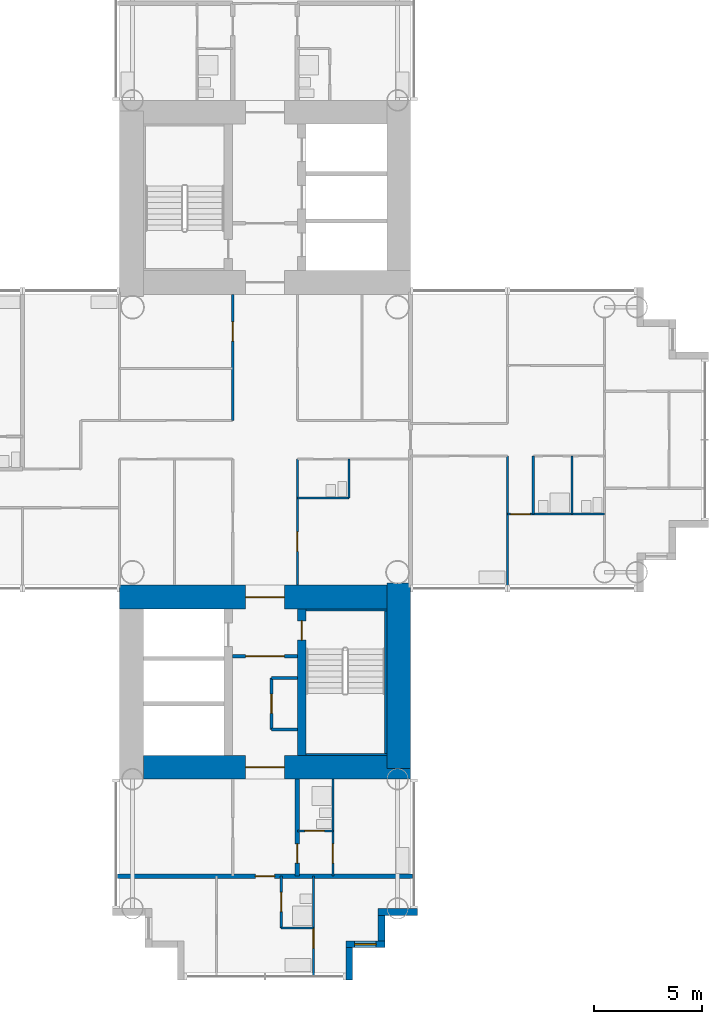
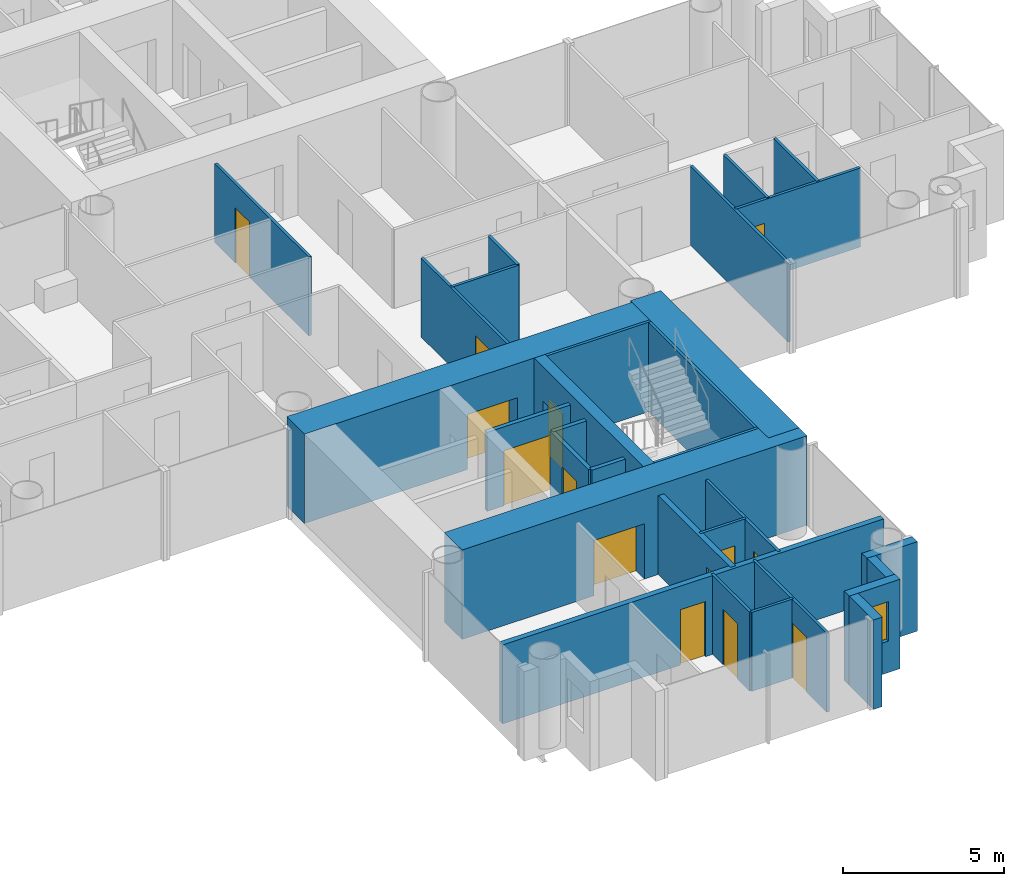
# One storey, part 14 of 22: 30 walls, 14 doors, 1 window, 15 openings.
"""IFC4 building model written with IfcOpenShell, lengths in metres."""

from ifc_helpers import new_model, si_unit, direction, frame, frame_2d, origin, place, context, subcontext, project, spatial, rectangle, extrude, material, layer, layer_set, type_object, element, fill, save


model = new_model("IFC4")

# Units and contexts
model_context = context("Model", 3, precision=1e-05, world=origin(), true_north=direction((0.0, 1.0)))
body_context = subcontext(model_context, "Body", "Model", "MODEL_VIEW")
ifc_project = project(units=[si_unit("LENGTHUNIT", "METRE"), si_unit("AREAUNIT", "SQUARE_METRE"), si_unit("VOLUMEUNIT", "CUBIC_METRE"), si_unit("PLANEANGLEUNIT", "RADIAN"), si_unit("MASSUNIT", "GRAM", prefix="KILO")], contexts=[model_context])

# Site, building, storey
site_placement = place(None, origin())
site = spatial("IfcSite", under=ifc_project, at=site_placement, CompositionType="ELEMENT")
building_placement = place(site_placement, origin())
building = spatial("IfcBuilding", under=site, at=building_placement, Name="Ipe Terrace Towers", CompositionType="ELEMENT")
storey_placement = place(building_placement, frame((0.0, 0.0, 68.699951171875)))
storey = spatial("IfcBuildingStorey", under=building, at=storey_placement, Name="L18", CompositionType="ELEMENT", Elevation=68.699951171875)

# Wall
ifc_material_1 = material(Name="Concrete C40/50 with buff precast cladding", Category="concrete")
ifc_layer_1 = layer(ifc_material_1, 0.320068359375)
ifc_layer_set_1 = layer_set([ifc_layer_1], Name="BUFF CLADDING WALL 320")
wall_type_1 = type_object("IfcWallType", Name="BUFF CLADDING WALL 320", PredefinedType="STANDARD", material=ifc_layer_set_1)
wall_1_placement = place(storey_placement, frame((39.909912109375, -25.070068359375, -0.300048828125), z_axis=(0.0, 0.0, 1.0), x_axis=(0.0, 1.0, 0.0)))
element("IfcWall", 1, at=wall_1_placement, inside=storey, type_object=wall_type_1, Name="T2-W-L18-00a wall", PredefinedType="STANDARD", context=body_context, shape_type="SweptSolid", body=[
    extrude(rectangle(XDim=1.5, YDim=0.320068359375, at=frame_2d((0.75, 0.0))), origin(), (0.0, 0.0, 1.0), 3.400146484375),
])

# Wall, opening, window
wall_2_placement = place(storey_placement, frame((39.75, -23.409912109375, -0.300048828125), z_axis=(0.0, 0.0, 1.0), x_axis=(1.0, 0.0, 0.0)))
wall_2 = element("IfcWall", 2, at=wall_2_placement, inside=storey, type_object=wall_type_1, Name="T2-W-L18-01a wall", PredefinedType="STANDARD", context=body_context, shape_type="SweptSolid", body=[
    extrude(rectangle(XDim=1.820068359375, YDim=0.320068359375, at=frame_2d((0.91015625, 0.0))), origin(), (0.0, 0.0, 1.0), 3.400146484375),
])
opening_1_placement = place(wall_2_placement, frame((0.409912109375, 0.0, 1.199951171875)))
opening_1 = element("IfcOpeningElement", 3, at=opening_1_placement, cuts=wall_2, Name="Opening T2-W-05-L18-03", PredefinedType="OPENING", context=body_context, shape_type="SweptSolid", body=[
    extrude(rectangle(XDim=1.0, YDim=1.5, at=frame_2d((0.5, 0.75))), frame((0.0, 0.169921875, 0.0), z_axis=(0.0, -1.0, 0.0), x_axis=(1.0, 0.0, 0.0)), (0.0, 0.0, 1.0), 0.340087890625),
])
ifc_material_2 = material(Name="Glass, clear laminated", Category="glass")
window_type = type_object("IfcWindowType", Name="DWELLING WINDOW 1000 x 1500", PartitioningType="SINGLE_PANEL", PredefinedType="WINDOW", material=ifc_material_2)
window_placement = place(opening_1_placement, origin())
window = element("IfcWindow", 4, at=window_placement, inside=storey, type_object=window_type, Name="W-05 window", OverallHeight=1.5, OverallWidth=1.0, PartitioningType="SINGLE_PANEL", PredefinedType="WINDOW", context=body_context, shape_type="SweptSolid", body=[
    extrude(rectangle(XDim=1.0, YDim=1.5, at=frame_2d((0.5, 0.75))), frame((0.0, 0.030029296875, 0.0), z_axis=(0.0, -1.0, 0.0), x_axis=(1.0, 0.0, 0.0)), (0.0, 0.0, 1.0), 0.06005859375),
])
fill(opening_1, window)

# Walls
wall_3_placement = place(storey_placement, frame((41.409912109375, -23.25, -0.300048828125), z_axis=(0.0, 0.0, 1.0), x_axis=(0.0, 1.0, 0.0)))
element("IfcWall", 5, at=wall_3_placement, inside=storey, type_object=wall_type_1, Name="T2-W-L18-02a wall", PredefinedType="STANDARD", context=body_context, shape_type="SweptSolid", body=[
    extrude(rectangle(XDim=1.179931640625, YDim=0.320068359375, at=frame_2d((0.58984375, 0.0))), origin(), (0.0, 0.0, 1.0), 3.400146484375),
])
wall_4_placement = place(storey_placement, frame((41.25, -21.909912109375, -0.300048828125), z_axis=(0.0, 0.0, 1.0), x_axis=(1.0, 0.0, 0.0)))
element("IfcWall", 6, at=wall_4_placement, inside=storey, type_object=wall_type_1, Name="T2-W-L18-03a wall", PredefinedType="STANDARD", context=body_context, shape_type="SweptSolid", body=[
    extrude(rectangle(XDim=1.820068359375, YDim=0.320068359375, at=frame_2d((0.91015625, 0.0))), origin(), (0.0, 0.0, 1.0), 3.400146484375),
])
ifc_material_3 = material(Name="Gypsum board partition", Category="plasterboard")
ifc_layer_2 = layer(ifc_material_3, 0.10009765625)
ifc_layer_set_2 = layer_set([ifc_layer_2], Name="Gypsum board partition 100 mm")
wall_type_2 = type_object("IfcWallType", Name="Gypsum board partition 100 mm", PredefinedType="PARTITIONING", material=ifc_layer_set_2)
wall_5_placement = place(storey_placement, frame((38.25, -22.64990234375, 0.0), z_axis=(0.0, 0.0, 1.0), x_axis=(-1.0, 0.0, 0.0)))
element("IfcWall", 7, at=wall_5_placement, inside=storey, type_object=wall_type_2, Name="Gypsum board partition T2 L18 W01", PredefinedType="PARTITIONING", context=body_context, shape_type="SweptSolid", body=[
    extrude(rectangle(XDim=1.5, YDim=0.10009765625, at=frame_2d((0.75, 0.0))), origin(), (0.0, 0.0, 1.0), 3.0),
])

# Wall, opening, door
wall_6_placement = place(storey_placement, frame((39.14990234375, -18.14990234375, 0.0), z_axis=(0.0, 0.0, 1.0), x_axis=(-1.0, 0.0, 0.0)))
wall_6 = element("IfcWall", 8, at=wall_6_placement, inside=storey, type_object=wall_type_2, Name="Gypsum board partition T2 L18 W03", PredefinedType="PARTITIONING", context=body_context, shape_type="SweptSolid", body=[
    extrude(rectangle(XDim=1.64990234375, YDim=0.10009765625, at=frame_2d((0.824951171875, 0.0))), origin(), (0.0, 0.0, 1.0), 3.0),
])
opening_2_placement = place(wall_6_placement, frame((0.39990234375, 0.0, 0.0)))
opening_2 = element("IfcOpeningElement", 9, at=opening_2_placement, cuts=wall_6, Name="Opening T2-Z1F-34", PredefinedType="OPENING", context=body_context, shape_type="SweptSolid", body=[
    extrude(rectangle(XDim=0.89990234375, YDim=2.10009765625, at=frame_2d((0.449951171875, 1.050048828125))), frame((0.0, 0.06005859375, 0.0), z_axis=(0.0, -1.0, 0.0), x_axis=(1.0, 0.0, 0.0)), (0.0, 0.0, 1.0), 0.1201171875),
])
ifc_material_4 = material(Name="Timber door leaf", Category="wood")
door_type_1 = type_object("IfcDoorType", Name="Bathroom door 900 x 2100", OperationType="NOTDEFINED", PredefinedType="DOOR", material=ifc_material_4)
door_1_placement = place(opening_2_placement, origin())
door_1 = element("IfcDoor", 10, at=door_1_placement, inside=storey, type_object=door_type_1, Name="Bathroom door T2-Z1F-34", OperationType="SINGLE_SWING_RIGHT", OverallHeight=2.10009765625, OverallWidth=0.89990234375, PredefinedType="DOOR", context=body_context, shape_type="SweptSolid", body=[
    extrude(rectangle(XDim=0.89990234375, YDim=2.10009765625, at=frame_2d((0.449951171875, 1.050048828125))), frame((0.0, 0.02490234375, 0.0), z_axis=(0.0, -1.0, 0.0), x_axis=(1.0, 0.0, 0.0)), (0.0, 0.0, 1.0), 0.050048828125),
])
fill(opening_2, door_1)

wall_7_placement = place(storey_placement, frame((51.75, -3.449951171875, 0.0), z_axis=(0.0, 0.0, 1.0), x_axis=(-1.0, 0.0, 0.0)))
wall_7 = element("IfcWall", 11, at=wall_7_placement, inside=storey, type_object=wall_type_2, Name="Gypsum board partition T2 L18 W04", PredefinedType="PARTITIONING", context=body_context, shape_type="SweptSolid", body=[
    extrude(rectangle(XDim=4.5, YDim=0.10009765625, at=frame_2d((2.25, 0.0))), origin(), (0.0, 0.0, 1.0), 3.0),
])
opening_3_placement = place(wall_7_placement, frame((3.449951171875, 0.0, 0.0)))
opening_3 = element("IfcOpeningElement", 12, at=opening_3_placement, cuts=wall_7, Name="Opening T2-Z1F-21", PredefinedType="OPENING", context=body_context, shape_type="SweptSolid", body=[
    extrude(rectangle(XDim=0.89990234375, YDim=2.10009765625, at=frame_2d((0.449951171875, 1.050048828125))), frame((0.0, 0.06005859375, 0.0), z_axis=(0.0, -1.0, 0.0), x_axis=(1.0, 0.0, 0.0)), (0.0, 0.0, 1.0), 0.1201171875),
])
ifc_material_5 = material(Name="Timber door leaf", Category="wood")
door_type_2 = type_object("IfcDoorType", Name="Bedroom door 900 x 2100", OperationType="NOTDEFINED", PredefinedType="DOOR", material=ifc_material_5)
door_2_placement = place(opening_3_placement, origin())
door_2 = element("IfcDoor", 13, at=door_2_placement, inside=storey, type_object=door_type_2, Name="Bedroom door T2-Z1F-21", OperationType="SINGLE_SWING_LEFT", OverallHeight=2.10009765625, OverallWidth=0.89990234375, PredefinedType="DOOR", context=body_context, shape_type="SweptSolid", body=[
    extrude(rectangle(XDim=0.89990234375, YDim=2.10009765625, at=frame_2d((0.449951171875, 1.050048828125))), frame((0.0, 0.02490234375, 0.0), z_axis=(0.0, -1.0, 0.0), x_axis=(1.0, 0.0, 0.0)), (0.0, 0.0, 1.0), 0.050048828125),
])
fill(opening_3, door_2)

# Walls
wall_8_placement = place(storey_placement, frame((39.89990234375, -2.699951171875, 0.0), z_axis=(0.0, 0.0, 1.0), x_axis=(-1.0, 0.0, 0.0)))
element("IfcWall", 14, at=wall_8_placement, inside=storey, type_object=wall_type_2, Name="Gypsum board partition T2 L18 W06", PredefinedType="PARTITIONING", context=body_context, shape_type="SweptSolid", body=[
    extrude(rectangle(XDim=2.39990234375, YDim=0.10009765625, at=frame_2d((1.199951171875, 0.0))), origin(), (0.0, 0.0, 1.0), 3.0),
])
for number, where, z_axis, x_axis, name in (
    (15, (50.25, -3.449951171875, 0.0), (0.0, 0.0, 1.0), (0.0, 1.0, 0.0), "Gypsum board partition T2 L18 W28"),
    (16, (48.449951171875, -3.449951171875, 0.0), (0.0, 0.0, 1.0), (0.0, 1.0, 0.0), "Gypsum board partition T2 L18 W29"),
):
    element("IfcWall", number, at=place(storey_placement, frame(where, z_axis=z_axis, x_axis=x_axis)), inside=storey, type_object=wall_type_2, Name=name, PredefinedType="PARTITIONING", context=body_context, shape_type="SweptSolid", body=[
        extrude(rectangle(XDim=2.699951171875, YDim=0.10009765625, at=frame_2d((1.35009765625, 0.0))), origin(), (0.0, 0.0, 1.0), 3.0),
    ])
wall_9_placement = place(storey_placement, frame((47.25, -6.85009765625, 0.0), z_axis=(0.0, 0.0, 1.0), x_axis=(0.0, 1.0, 0.0)))
element("IfcWall", 17, at=wall_9_placement, inside=storey, type_object=wall_type_2, Name="Gypsum board partition T2 L18 W30", PredefinedType="PARTITIONING", context=body_context, shape_type="SweptSolid", body=[
    extrude(rectangle(XDim=6.10009765625, YDim=0.10009765625, at=frame_2d((3.050048828125, 0.0))), origin(), (0.0, 0.0, 1.0), 3.0),
])
wall_10_placement = place(storey_placement, frame((39.89990234375, -2.699951171875, 0.0), z_axis=(0.0, 0.0, 1.0), x_axis=(0.0, 1.0, 0.0)))
element("IfcWall", 18, at=wall_10_placement, inside=storey, type_object=wall_type_2, Name="Gypsum board partition T2 L18 W34", PredefinedType="PARTITIONING", context=body_context, shape_type="SweptSolid", body=[
    extrude(rectangle(XDim=1.800048828125, YDim=0.10009765625, at=frame_2d((0.89990234375, 0.0))), origin(), (0.0, 0.0, 1.0), 3.0),
])

# Wall, opening, door
wall_11_placement = place(storey_placement, frame((39.14990234375, -20.25, 0.0), z_axis=(0.0, 0.0, 1.0), x_axis=(0.0, 1.0, 0.0)))
wall_11 = element("IfcWall", 19, at=wall_11_placement, inside=storey, type_object=wall_type_2, Name="Gypsum board partition T2 L18 W35", PredefinedType="PARTITIONING", context=body_context, shape_type="SweptSolid", body=[
    extrude(rectangle(XDim=4.5, YDim=0.10009765625, at=frame_2d((2.25, 0.0))), origin(), (0.0, 0.0, 1.0), 3.0),
])
opening_4_placement = place(wall_11_placement, frame((0.60009765625, 0.0, 0.0)))
opening_4 = element("IfcOpeningElement", 20, at=opening_4_placement, cuts=wall_11, Name="Opening T2-Z1F-33", PredefinedType="OPENING", context=body_context, shape_type="SweptSolid", body=[
    extrude(rectangle(XDim=0.89990234375, YDim=2.10009765625, at=frame_2d((0.449951171875, 1.050048828125))), frame((0.0, 0.06005859375, 0.0), z_axis=(0.0, -1.0, 0.0), x_axis=(1.0, 0.0, 0.0)), (0.0, 0.0, 1.0), 0.1201171875),
])
door_3_placement = place(opening_4_placement, origin())
door_3 = element("IfcDoor", 21, at=door_3_placement, inside=storey, type_object=door_type_2, Name="Bedroom door T2-Z1F-33", OperationType="SINGLE_SWING_LEFT", OverallHeight=2.10009765625, OverallWidth=0.89990234375, PredefinedType="DOOR", context=body_context, shape_type="SweptSolid", body=[
    extrude(rectangle(XDim=0.89990234375, YDim=2.10009765625, at=frame_2d((0.449951171875, 1.050048828125))), frame((0.0, 0.02490234375, 0.0), z_axis=(0.0, -1.0, 0.0), x_axis=(1.0, 0.0, 0.0)), (0.0, 0.0, 1.0), 0.050048828125),
])
fill(opening_4, door_3)

wall_12_placement = place(storey_placement, frame((38.25, -24.85009765625, 0.0), z_axis=(0.0, 0.0, 1.0), x_axis=(0.0, 1.0, 0.0)))
wall_12 = element("IfcWall", 22, at=wall_12_placement, inside=storey, type_object=wall_type_2, Name="Gypsum board partition T2 L18 W37", PredefinedType="PARTITIONING", context=body_context, shape_type="SweptSolid", body=[
    extrude(rectangle(XDim=4.60009765625, YDim=0.10009765625, at=frame_2d((2.300048828125, 0.0))), origin(), (0.0, 0.0, 1.0), 3.0),
])
opening_5_placement = place(wall_12_placement, frame((1.25, 0.0, 0.0)))
opening_5 = element("IfcOpeningElement", 23, at=opening_5_placement, cuts=wall_12, Name="Opening T2-Z1F-38", PredefinedType="OPENING", context=body_context, shape_type="SweptSolid", body=[
    extrude(rectangle(XDim=0.89990234375, YDim=2.10009765625, at=frame_2d((0.449951171875, 1.050048828125))), frame((0.0, 0.06005859375, 0.0), z_axis=(0.0, -1.0, 0.0), x_axis=(1.0, 0.0, 0.0)), (0.0, 0.0, 1.0), 0.1201171875),
])
door_4_placement = place(opening_5_placement, origin())
door_4 = element("IfcDoor", 24, at=door_4_placement, inside=storey, type_object=door_type_2, Name="Bedroom door T2-Z1F-38", OperationType="SINGLE_SWING_LEFT", OverallHeight=2.10009765625, OverallWidth=0.89990234375, PredefinedType="DOOR", context=body_context, shape_type="SweptSolid", body=[
    extrude(rectangle(XDim=0.89990234375, YDim=2.10009765625, at=frame_2d((0.449951171875, 1.050048828125))), frame((0.0, 0.02490234375, 0.0), z_axis=(0.0, -1.0, 0.0), x_axis=(1.0, 0.0, 0.0)), (0.0, 0.0, 1.0), 0.050048828125),
])
fill(opening_5, door_4)

wall_13_placement = place(storey_placement, frame((37.5, -6.75, 0.0), z_axis=(0.0, 0.0, 1.0), x_axis=(0.0, 1.0, 0.0)))
wall_13 = element("IfcWall", 25, at=wall_13_placement, inside=storey, type_object=wall_type_2, Name="Gypsum board partition T2 L18 W38", PredefinedType="PARTITIONING", context=body_context, shape_type="SweptSolid", body=[
    extrude(rectangle(XDim=5.85009765625, YDim=0.10009765625, at=frame_2d((2.925048828125, 0.0))), origin(), (0.0, 0.0, 1.0), 3.0),
])
opening_6_placement = place(wall_13_placement, frame((1.574951171875, 0.0, 0.0)))
opening_6 = element("IfcOpeningElement", 26, at=opening_6_placement, cuts=wall_13, Name="Opening T2-Z1F-06", PredefinedType="OPENING", context=body_context, shape_type="SweptSolid", body=[
    extrude(rectangle(XDim=0.89990234375, YDim=2.10009765625, at=frame_2d((0.449951171875, 1.050048828125))), frame((0.0, 0.06005859375, 0.0), z_axis=(0.0, -1.0, 0.0), x_axis=(1.0, 0.0, 0.0)), (0.0, 0.0, 1.0), 0.1201171875),
])
ifc_material_6 = material(Name="Timber door leaf", Category="wood")
door_type_3 = type_object("IfcDoorType", Name="Lounge door 900 x 2100", OperationType="NOTDEFINED", PredefinedType="DOOR", material=ifc_material_6)
door_5_placement = place(opening_6_placement, origin())
door_5 = element("IfcDoor", 27, at=door_5_placement, inside=storey, type_object=door_type_3, Name="Lounge door T2-Z1F-06", OperationType="SINGLE_SWING_LEFT", OverallHeight=2.10009765625, OverallWidth=0.89990234375, PredefinedType="DOOR", context=body_context, shape_type="SweptSolid", body=[
    extrude(rectangle(XDim=0.89990234375, YDim=2.10009765625, at=frame_2d((0.449951171875, 1.050048828125))), frame((0.0, 0.02490234375, 0.0), z_axis=(0.0, -1.0, 0.0), x_axis=(1.0, 0.0, 0.0)), (0.0, 0.0, 1.0), 0.050048828125),
])
fill(opening_6, door_5)

wall_14_placement = place(storey_placement, frame((36.75, -22.64990234375, 0.0), z_axis=(0.0, 0.0, 1.0), x_axis=(0.0, 1.0, 0.0)))
wall_14 = element("IfcWall", 28, at=wall_14_placement, inside=storey, type_object=wall_type_2, Name="Gypsum board partition T2 L18 W42", PredefinedType="PARTITIONING", context=body_context, shape_type="SweptSolid", body=[
    extrude(rectangle(XDim=2.39990234375, YDim=0.10009765625, at=frame_2d((1.199951171875, 0.0))), origin(), (0.0, 0.0, 1.0), 3.0),
])
opening_7_placement = place(wall_14_placement, frame((0.75, 0.0, 0.0)))
opening_7 = element("IfcOpeningElement", 29, at=opening_7_placement, cuts=wall_14, Name="Opening T2-Z1F-36", PredefinedType="OPENING", context=body_context, shape_type="SweptSolid", body=[
    extrude(rectangle(XDim=0.89990234375, YDim=2.10009765625, at=frame_2d((0.449951171875, 1.050048828125))), frame((0.0, 0.06005859375, 0.0), z_axis=(0.0, -1.0, 0.0), x_axis=(1.0, 0.0, 0.0)), (0.0, 0.0, 1.0), 0.1201171875),
])
door_6_placement = place(opening_7_placement, origin())
door_6 = element("IfcDoor", 30, at=door_6_placement, inside=storey, type_object=door_type_1, Name="Bathroom door T2-Z1F-36", OperationType="SINGLE_SWING_RIGHT", OverallHeight=2.10009765625, OverallWidth=0.89990234375, PredefinedType="DOOR", context=body_context, shape_type="SweptSolid", body=[
    extrude(rectangle(XDim=0.89990234375, YDim=2.10009765625, at=frame_2d((0.449951171875, 1.050048828125))), frame((0.0, 0.02490234375, 0.0), z_axis=(0.0, -1.0, 0.0), x_axis=(1.0, 0.0, 0.0)), (0.0, 0.0, 1.0), 0.050048828125),
])
fill(opening_7, door_6)

wall_15_placement = place(storey_placement, frame((34.5, 0.89990234375, 0.0), z_axis=(0.0, 0.0, 1.0), x_axis=(0.0, 1.0, 0.0)))
wall_15 = element("IfcWall", 31, at=wall_15_placement, inside=storey, type_object=wall_type_2, Name="Gypsum board partition T2 L18 W45", PredefinedType="PARTITIONING", context=body_context, shape_type="SweptSolid", body=[
    extrude(rectangle(XDim=5.85009765625, YDim=0.10009765625, at=frame_2d((2.925048828125, 0.0))), origin(), (0.0, 0.0, 1.0), 3.0),
])
opening_8_placement = place(wall_15_placement, frame((3.675048828125, 0.0, 0.0)))
opening_8 = element("IfcOpeningElement", 32, at=opening_8_placement, cuts=wall_15, Name="Opening T2-Z1F-03", PredefinedType="OPENING", context=body_context, shape_type="SweptSolid", body=[
    extrude(rectangle(XDim=0.89990234375, YDim=2.10009765625, at=frame_2d((0.449951171875, 1.050048828125))), frame((0.0, 0.06005859375, 0.0), z_axis=(0.0, -1.0, 0.0), x_axis=(1.0, 0.0, 0.0)), (0.0, 0.0, 1.0), 0.1201171875),
])
door_7_placement = place(opening_8_placement, origin())
door_7 = element("IfcDoor", 33, at=door_7_placement, inside=storey, type_object=door_type_3, Name="Lounge door T2-Z1F-03", OperationType="SINGLE_SWING_LEFT", OverallHeight=2.10009765625, OverallWidth=0.89990234375, PredefinedType="DOOR", context=body_context, shape_type="SweptSolid", body=[
    extrude(rectangle(XDim=0.89990234375, YDim=2.10009765625, at=frame_2d((0.449951171875, 1.050048828125))), frame((0.0, 0.02490234375, 0.0), z_axis=(0.0, -1.0, 0.0), x_axis=(1.0, 0.0, 0.0)), (0.0, 0.0, 1.0), 0.050048828125),
])
fill(opening_8, door_7)

ifc_material_7 = material(Name="Gypsum board partition", Category="plasterboard")
ifc_layer_3 = layer(ifc_material_7, 0.14990234375)
ifc_layer_set_3 = layer_set([ifc_layer_3], Name="Gypsum board partition 150 mm")
wall_type_3 = type_object("IfcWallType", Name="Gypsum board partition 150 mm", PredefinedType="PARTITIONING", material=ifc_layer_set_3)
wall_16_placement = place(storey_placement, frame((34.5, -10.050048828125, 0.0), z_axis=(0.0, 0.0, 1.0), x_axis=(1.0, 0.0, 0.0)))
wall_16 = element("IfcWall", 34, at=wall_16_placement, inside=storey, type_object=wall_type_3, Name="Gypsum board partition T2 L18 t2c2-lobby-wall", PredefinedType="PARTITIONING", context=body_context, shape_type="SweptSolid", body=[
    extrude(rectangle(XDim=3.0, YDim=0.14990234375, at=frame_2d((1.5, 0.0))), origin(), (0.0, 0.0, 1.0), 3.0),
])
opening_9_placement = place(wall_16_placement, frame((0.60009765625, 0.0, 0.0)))
opening_9 = element("IfcOpeningElement", 35, at=opening_9_placement, cuts=wall_16, Name="Opening T2C2-VD", PredefinedType="OPENING", context=body_context, shape_type="SweptSolid", body=[
    extrude(rectangle(XDim=1.800048828125, YDim=2.10009765625, at=frame_2d((0.89990234375, 1.050048828125))), frame((0.0, 0.0849609375, 0.0), z_axis=(0.0, -1.0, 0.0), x_axis=(1.0, 0.0, 0.0)), (0.0, 0.0, 1.0), 0.169921875),
])
ifc_material_8 = material(Name="Fire-rated timber door leaf", Category="wood")
door_type_4 = type_object("IfcDoorType", Name="Lobby door 1800 x 2100 FD60", OperationType="NOTDEFINED", PredefinedType="DOOR", material=ifc_material_8)
door_8_placement = place(opening_9_placement, origin())
door_8 = element("IfcDoor", 36, at=door_8_placement, inside=storey, type_object=door_type_4, Name="Lobby door T2C2-VD", OperationType="SINGLE_SWING_LEFT", OverallHeight=2.10009765625, OverallWidth=1.800048828125, PredefinedType="DOOR", context=body_context, shape_type="SweptSolid", body=[
    extrude(rectangle(XDim=1.800048828125, YDim=2.10009765625, at=frame_2d((0.89990234375, 1.050048828125))), frame((0.0, 0.02490234375, 0.0), z_axis=(0.0, -1.0, 0.0), x_axis=(1.0, 0.0, 0.0)), (0.0, 0.0, 1.0), 0.050048828125),
])
fill(opening_9, door_8)

wall_17_placement = place(storey_placement, frame((36.300048828125, -11.050048828125, 0.0), z_axis=(0.0, 0.0, 1.0), x_axis=(0.0, -1.0, 0.0)))
wall_17 = element("IfcWall", 37, at=wall_17_placement, inside=storey, type_object=wall_type_3, Name="Gypsum board partition T2 L18 t2c2-cup-n-f", PredefinedType="PARTITIONING", context=body_context, shape_type="SweptSolid", body=[
    extrude(rectangle(XDim=2.39990234375, YDim=0.14990234375, at=frame_2d((1.199951171875, 0.0))), origin(), (0.0, 0.0, 1.0), 3.0),
])
opening_10_placement = place(wall_17_placement, frame((0.75, 0.0, 0.0)))
opening_10 = element("IfcOpeningElement", 38, at=opening_10_placement, cuts=wall_17, Name="Opening T2C2-SR", PredefinedType="OPENING", context=body_context, shape_type="SweptSolid", body=[
    extrude(rectangle(XDim=0.89990234375, YDim=2.10009765625, at=frame_2d((0.449951171875, 1.050048828125))), frame((0.0, 0.0849609375, 0.0), z_axis=(0.0, -1.0, 0.0), x_axis=(1.0, 0.0, 0.0)), (0.0, 0.0, 1.0), 0.169921875),
])
ifc_material_9 = material(Name="Fire-rated timber door leaf", Category="wood")
door_type_5 = type_object("IfcDoorType", Name="Service door 900 x 2100 FD60", OperationType="NOTDEFINED", PredefinedType="DOOR", material=ifc_material_9)
door_9_placement = place(opening_10_placement, origin())
door_9 = element("IfcDoor", 39, at=door_9_placement, inside=storey, type_object=door_type_5, Name="Service door T2C2-SR", OperationType="SINGLE_SWING_LEFT", OverallHeight=2.10009765625, OverallWidth=0.89990234375, PredefinedType="DOOR", context=body_context, shape_type="SweptSolid", body=[
    extrude(rectangle(XDim=0.89990234375, YDim=2.10009765625, at=frame_2d((0.449951171875, 1.050048828125))), frame((0.0, 0.02490234375, 0.0), z_axis=(0.0, -1.0, 0.0), x_axis=(1.0, 0.0, 0.0)), (0.0, 0.0, 1.0), 0.050048828125),
])
fill(opening_10, door_9)

# Walls
for number, where, z_axis, x_axis, name in (
    (40, (36.300048828125, -11.050048828125, 0.0), (0.0, 0.0, 1.0), (1.0, 0.0, 0.0), "Gypsum board partition T2 L18 t2c2-cup-n-a"),
    (41, (36.300048828125, -13.449951171875, 0.0), (0.0, 0.0, 1.0), (1.0, 0.0, 0.0), "Gypsum board partition T2 L18 t2c2-cup-n-b"),
):
    element("IfcWall", number, at=place(storey_placement, frame(where, z_axis=z_axis, x_axis=x_axis)), inside=storey, type_object=wall_type_3, Name=name, PredefinedType="PARTITIONING", context=body_context, shape_type="SweptSolid", body=[
        extrude(rectangle(XDim=1.199951171875, YDim=0.14990234375, at=frame_2d((0.60009765625, 0.0))), origin(), (0.0, 0.0, 1.0), 3.0),
    ])

# Wall, opening, door
ifc_material_10 = material(Name="Gypsum board party wall", Category="plasterboard")
ifc_layer_4 = layer(ifc_material_10, 0.199951171875)
ifc_layer_set_4 = layer_set([ifc_layer_4], Name="Gypsum board party wall 200 mm")
wall_type_4 = type_object("IfcWallType", Name="Gypsum board party wall 200 mm", PredefinedType="SOLIDWALL", material=ifc_layer_set_4)
wall_18_placement = place(storey_placement, frame((42.85009765625, -20.25, 0.0), z_axis=(0.0, 0.0, 1.0), x_axis=(-1.0, 0.0, 0.0)))
wall_18 = element("IfcWall", 42, at=wall_18_placement, inside=storey, type_object=wall_type_4, Name="Gypsum board party wall T2 L18 W02", PredefinedType="SOLIDWALL", context=body_context, shape_type="SweptSolid", body=[
    extrude(rectangle(XDim=13.7001953125, YDim=0.199951171875, at=frame_2d((6.85009765625, 0.0))), origin(), (0.0, 0.0, 1.0), 3.0),
])
opening_11_placement = place(wall_18_placement, frame((6.39990234375, 0.0, 0.0)))
opening_11 = element("IfcOpeningElement", 43, at=opening_11_placement, cuts=wall_18, Name="Opening T2-Z1F-37", PredefinedType="OPENING", context=body_context, shape_type="SweptSolid", body=[
    extrude(rectangle(XDim=0.89990234375, YDim=2.10009765625, at=frame_2d((0.449951171875, 1.050048828125))), frame((0.0, 0.10986328125, 0.0), z_axis=(0.0, -1.0, 0.0), x_axis=(1.0, 0.0, 0.0)), (0.0, 0.0, 1.0), 0.219970703125),
])
ifc_material_11 = material(Name="Fire-rated timber door leaf", Category="wood")
door_type_6 = type_object("IfcDoorType", Name="Flat entrance door 900 x 2100 FD30S", OperationType="NOTDEFINED", PredefinedType="DOOR", material=ifc_material_11)
door_10_placement = place(opening_11_placement, origin())
door_10 = element("IfcDoor", 44, at=door_10_placement, inside=storey, type_object=door_type_6, Name="Flat entrance door T2-Z1F-37", OperationType="SINGLE_SWING_LEFT", OverallHeight=2.10009765625, OverallWidth=0.89990234375, PredefinedType="DOOR", context=body_context, shape_type="SweptSolid", body=[
    extrude(rectangle(XDim=0.89990234375, YDim=2.10009765625, at=frame_2d((0.449951171875, 1.050048828125))), frame((0.0, 0.02490234375, 0.0), z_axis=(0.0, -1.0, 0.0), x_axis=(1.0, 0.0, 0.0)), (0.0, 0.0, 1.0), 0.050048828125),
])
fill(opening_11, door_10)

wall_19_placement = place(storey_placement, frame((37.5, -20.25, 0.0), z_axis=(0.0, 0.0, 1.0), x_axis=(0.0, 1.0, 0.0)))
wall_19 = element("IfcWall", 45, at=wall_19_placement, inside=storey, type_object=wall_type_4, Name="Gypsum board party wall T2 L18 W40", PredefinedType="SOLIDWALL", context=body_context, shape_type="SweptSolid", body=[
    extrude(rectangle(XDim=4.5, YDim=0.199951171875, at=frame_2d((2.25, 0.0))), origin(), (0.0, 0.0, 1.0), 3.0),
])
opening_12_placement = place(wall_19_placement, frame((0.60009765625, 0.0, 0.0)))
opening_12 = element("IfcOpeningElement", 46, at=opening_12_placement, cuts=wall_19, Name="Opening T2-Z1F-32", PredefinedType="OPENING", context=body_context, shape_type="SweptSolid", body=[
    extrude(rectangle(XDim=0.89990234375, YDim=2.10009765625, at=frame_2d((0.449951171875, 1.050048828125))), frame((0.0, 0.10986328125, 0.0), z_axis=(0.0, -1.0, 0.0), x_axis=(1.0, 0.0, 0.0)), (0.0, 0.0, 1.0), 0.219970703125),
])
door_11_placement = place(opening_12_placement, origin())
door_11 = element("IfcDoor", 47, at=door_11_placement, inside=storey, type_object=door_type_6, Name="Flat entrance door T2-Z1F-32", OperationType="SINGLE_SWING_LEFT", OverallHeight=2.10009765625, OverallWidth=0.89990234375, PredefinedType="DOOR", context=body_context, shape_type="SweptSolid", body=[
    extrude(rectangle(XDim=0.89990234375, YDim=2.10009765625, at=frame_2d((0.449951171875, 1.050048828125))), frame((0.0, 0.02490234375, 0.0), z_axis=(0.0, -1.0, 0.0), x_axis=(1.0, 0.0, 0.0)), (0.0, 0.0, 1.0), 0.050048828125),
])
fill(opening_12, door_11)

# Walls
ifc_material_12 = material(Name="Concrete C60/75", Category="concrete")
ifc_layer_5 = layer(ifc_material_12, 0.10009765625)
ifc_layer_set_5 = layer_set([ifc_layer_5], Name="RW100 CORE INFILL WALL 100 C60-75")
wall_type_5 = type_object("IfcWallType", Name="RW100 CORE INFILL WALL 100 C60-75", PredefinedType="SHEAR", material=ifc_layer_set_5)
wall_20_placement = place(storey_placement, frame((37.89990234375, -14.60009765625, 0.0), z_axis=(0.0, 0.0, 1.0), x_axis=(1.0, 0.0, 0.0)))
element("IfcWall", 48, at=wall_20_placement, inside=storey, type_object=wall_type_5, Name="Core infill wall T2-C2-far", PredefinedType="SHEAR", context=body_context, shape_type="SweptSolid", body=[
    extrude(rectangle(XDim=3.75, YDim=0.10009765625, at=frame_2d((1.875, 0.0))), origin(), (0.0, 0.0, 1.0), 3.400146484375),
])
wall_21_placement = place(storey_placement, frame((41.60009765625, -7.949951171875, 0.0), z_axis=(0.0, 0.0, 1.0), x_axis=(0.0, -1.0, 0.0)))
element("IfcWall", 49, at=wall_21_placement, inside=storey, type_object=wall_type_5, Name="Core infill wall T2-C2-back", PredefinedType="SHEAR", context=body_context, shape_type="SweptSolid", body=[
    extrude(rectangle(XDim=6.60009765625, YDim=0.10009765625, at=frame_2d((3.300048828125, 0.0))), origin(), (0.0, 0.0, 1.0), 3.400146484375),
])
wall_22_placement = place(storey_placement, frame((37.89990234375, -7.89990234375, 0.0), z_axis=(0.0, 0.0, 1.0), x_axis=(1.0, 0.0, 0.0)))
element("IfcWall", 50, at=wall_22_placement, inside=storey, type_object=wall_type_5, Name="Core infill wall T2-C2-near", PredefinedType="SHEAR", context=body_context, shape_type="SweptSolid", body=[
    extrude(rectangle(XDim=3.75, YDim=0.10009765625, at=frame_2d((1.875, 0.0))), origin(), (0.0, 0.0, 1.0), 3.400146484375),
])

# Wall, opening, door
ifc_material_13 = material(Name="Concrete C60/75", Category="concrete")
ifc_layer_6 = layer(ifc_material_13, 1.10009765625)
ifc_layer_set_6 = layer_set([ifc_layer_6], Name="RW1100 CORE WALL 1100 C60-75")
wall_type_6 = type_object("IfcWallType", Name="RW1100 CORE WALL 1100 C60-75", PredefinedType="SHEAR", material=ifc_layer_set_6)
wall_23_placement = place(storey_placement, frame((30.35009765625, -15.199951171875, 0.0), z_axis=(0.0, 0.0, 1.0), x_axis=(1.0, 0.0, 0.0)))
wall_23 = element("IfcWall", 51, at=wall_23_placement, inside=storey, type_object=wall_type_6, Name="Core wall T2-C2-Z1-W01", PredefinedType="SHEAR", context=body_context, shape_type="SweptSolid", body=[
    extrude(rectangle(XDim=12.39990234375, YDim=1.10009765625, at=frame_2d((6.199951171875, 0.0))), origin(), (0.0, 0.0, 1.0), 3.400146484375),
])
opening_13_placement = place(wall_23_placement, frame((4.75, 0.0, 0.0)))
opening_13 = element("IfcOpeningElement", 52, at=opening_13_placement, cuts=wall_23, Name="Opening T2C2-FD", PredefinedType="OPENING", context=body_context, shape_type="SweptSolid", body=[
    extrude(rectangle(XDim=1.800048828125, YDim=2.10009765625, at=frame_2d((0.89990234375, 1.050048828125))), frame((0.0, 0.56005859375, 0.0), z_axis=(0.0, -1.0, 0.0), x_axis=(1.0, 0.0, 0.0)), (0.0, 0.0, 1.0), 1.1201171875),
])
ifc_material_14 = material(Name="Fire-rated timber door leaf", Category="wood")
door_type_7 = type_object("IfcDoorType", Name="Fire door 1800 x 2100 FD30S", OperationType="NOTDEFINED", PredefinedType="DOOR", material=ifc_material_14)
door_12_placement = place(opening_13_placement, origin())
door_12 = element("IfcDoor", 53, at=door_12_placement, inside=storey, type_object=door_type_7, Name="Fire door T2C2-FD", OperationType="SINGLE_SWING_LEFT", OverallHeight=2.10009765625, OverallWidth=1.800048828125, PredefinedType="DOOR", context=body_context, shape_type="SweptSolid", body=[
    extrude(rectangle(XDim=1.800048828125, YDim=2.10009765625, at=frame_2d((0.89990234375, 1.050048828125))), frame((0.0, 0.02490234375, 0.0), z_axis=(0.0, -1.0, 0.0), x_axis=(1.0, 0.0, 0.0)), (0.0, 0.0, 1.0), 0.050048828125),
])
fill(opening_13, door_12)

# Wall
wall_24_placement = place(storey_placement, frame((42.199951171875, -15.248046875, 0.0), z_axis=(0.0, 0.0, 1.0), x_axis=(0.0, 1.0, 0.0)))
element("IfcWall", 54, at=wall_24_placement, inside=storey, type_object=wall_type_6, Name="Core wall T2-C2-Z1-W02", PredefinedType="SHEAR", context=body_context, shape_type="SweptSolid", body=[
    extrude(rectangle(XDim=8.595947265625, YDim=1.10009765625, at=frame_2d((4.2978515625, 0.0))), origin(), (0.0, 0.0, 1.0), 3.400146484375),
])

# Wall, opening, door
wall_25_placement = place(storey_placement, frame((41.64990234375, -7.300048828125, 0.0), z_axis=(0.0, 0.0, 1.0), x_axis=(-1.0, 0.0, 0.0)))
wall_25 = element("IfcWall", 55, at=wall_25_placement, inside=storey, type_object=wall_type_6, Name="Core wall T2-C2-Z1-W03", PredefinedType="SHEAR", context=body_context, shape_type="SweptSolid", body=[
    extrude(rectangle(XDim=12.39990234375, YDim=1.10009765625, at=frame_2d((6.199951171875, 0.0))), origin(), (0.0, 0.0, 1.0), 3.400146484375),
])
opening_14_placement = place(wall_25_placement, frame((4.75, 0.0, 0.0)))
opening_14 = element("IfcOpeningElement", 56, at=opening_14_placement, cuts=wall_25, Name="Opening T2C2-ND", PredefinedType="OPENING", context=body_context, shape_type="SweptSolid", body=[
    extrude(rectangle(XDim=1.800048828125, YDim=2.10009765625, at=frame_2d((0.89990234375, 1.050048828125))), frame((0.0, 0.56005859375, 0.0), z_axis=(0.0, -1.0, 0.0), x_axis=(1.0, 0.0, 0.0)), (0.0, 0.0, 1.0), 1.1201171875),
])
door_13_placement = place(opening_14_placement, origin())
door_13 = element("IfcDoor", 57, at=door_13_placement, inside=storey, type_object=door_type_7, Name="Fire door T2C2-ND", OperationType="SINGLE_SWING_LEFT", OverallHeight=2.10009765625, OverallWidth=1.800048828125, PredefinedType="DOOR", context=body_context, shape_type="SweptSolid", body=[
    extrude(rectangle(XDim=1.800048828125, YDim=2.10009765625, at=frame_2d((0.89990234375, 1.050048828125))), frame((0.0, 0.02490234375, 0.0), z_axis=(0.0, -1.0, 0.0), x_axis=(1.0, 0.0, 0.0)), (0.0, 0.0, 1.0), 0.050048828125),
])
fill(opening_14, door_13)

ifc_material_15 = material(Name="Concrete C60/75", Category="concrete")
ifc_layer_7 = layer(ifc_material_15, 0.39990234375)
ifc_layer_set_7 = layer_set([ifc_layer_7], Name="RW400 CORE SPINE WALL 400 C60-75")
wall_type_7 = type_object("IfcWallType", Name="RW400 CORE SPINE WALL 400 C60-75", PredefinedType="SHEAR", material=ifc_layer_set_7)
wall_26_placement = place(storey_placement, frame((37.699951171875, -14.64990234375, 0.0), z_axis=(0.0, 0.0, 1.0), x_axis=(0.0, 1.0, 0.0)))
wall_26 = element("IfcWall", 58, at=wall_26_placement, inside=storey, type_object=wall_type_7, Name="Core spine wall T2-C2-Z1-SW2", PredefinedType="SHEAR", context=body_context, shape_type="SweptSolid", body=[
    extrude(rectangle(XDim=6.7998046875, YDim=0.39990234375, at=frame_2d((3.39990234375, 0.0))), origin(), (0.0, 0.0, 1.0), 3.400146484375),
])
opening_15_placement = place(wall_26_placement, frame((5.35009765625, 0.0, 0.0)))
opening_15 = element("IfcOpeningElement", 59, at=opening_15_placement, cuts=wall_26, Name="Opening T2C2-SD", PredefinedType="OPENING", context=body_context, shape_type="SweptSolid", body=[
    extrude(rectangle(XDim=0.89990234375, YDim=2.10009765625, at=frame_2d((0.449951171875, 1.050048828125))), frame((0.0, 0.2099609375, 0.0), z_axis=(0.0, -1.0, 0.0), x_axis=(1.0, 0.0, 0.0)), (0.0, 0.0, 1.0), 0.419921875),
])
ifc_material_16 = material(Name="Fire-rated timber door leaf", Category="wood")
door_type_8 = type_object("IfcDoorType", Name="Stair door 900 x 2100 FD60", OperationType="NOTDEFINED", PredefinedType="DOOR", material=ifc_material_16)
door_14_placement = place(opening_15_placement, origin())
door_14 = element("IfcDoor", 60, at=door_14_placement, inside=storey, type_object=door_type_8, Name="Stair door T2C2-SD", OperationType="SINGLE_SWING_RIGHT", OverallHeight=2.10009765625, OverallWidth=0.89990234375, PredefinedType="DOOR", context=body_context, shape_type="SweptSolid", body=[
    extrude(rectangle(XDim=0.89990234375, YDim=2.10009765625, at=frame_2d((0.449951171875, 1.050048828125))), frame((0.0, 0.02490234375, 0.0), z_axis=(0.0, -1.0, 0.0), x_axis=(1.0, 0.0, 0.0)), (0.0, 0.0, 1.0), 0.050048828125),
])
fill(opening_15, door_14)

save(model, "model.ifc")
